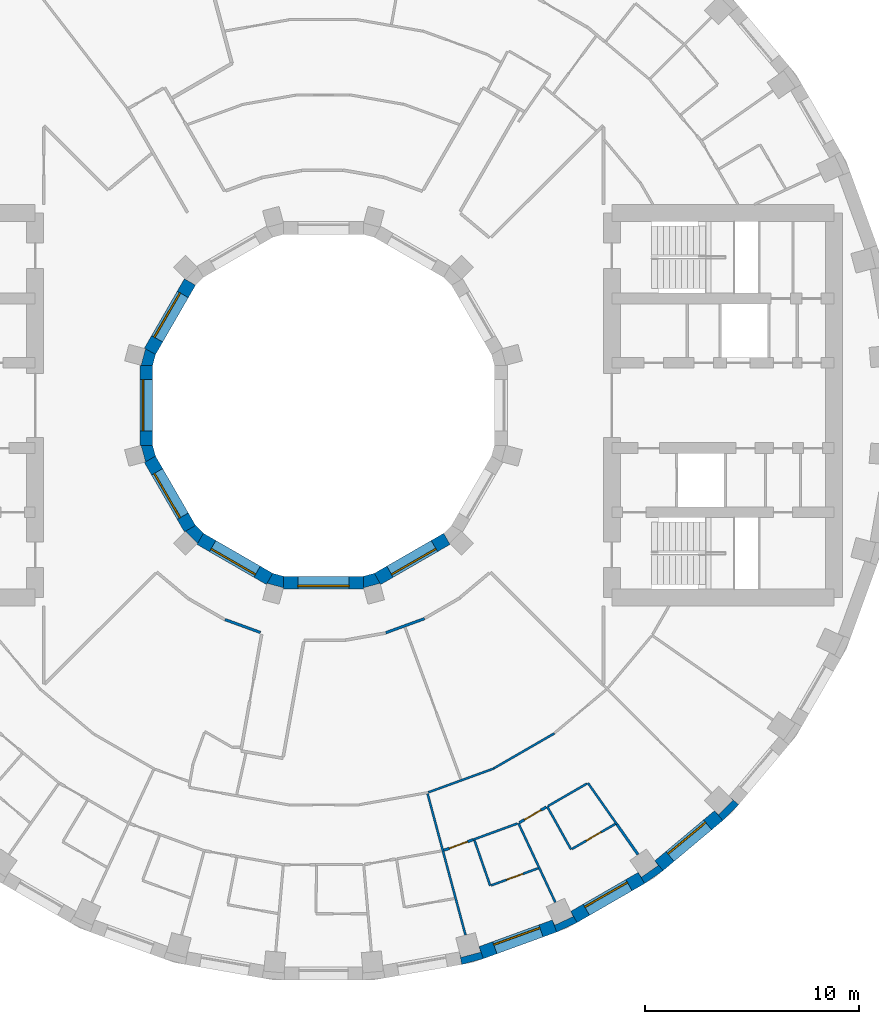
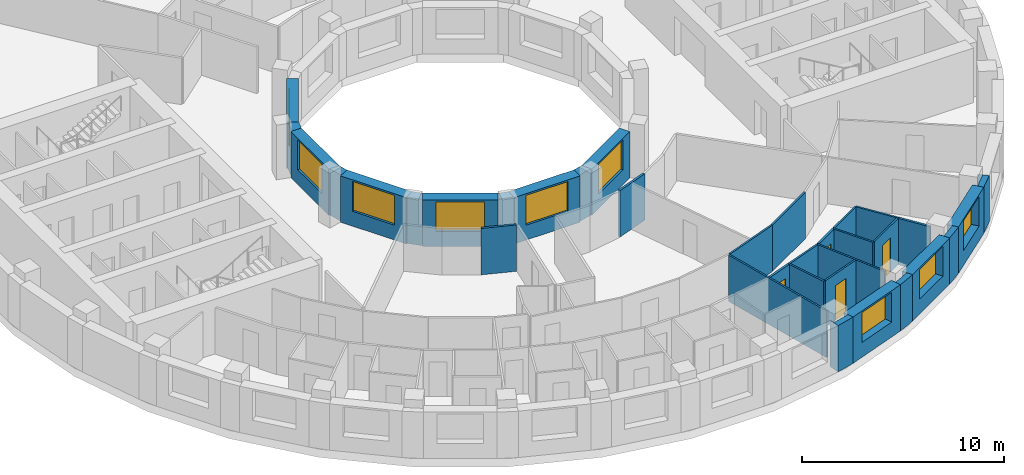
# One storey, part 7 of 14: 34 walls, 9 windows, 4 doors, 13 openings.
"""IFC4 building model written with IfcOpenShell, lengths in metres."""

from ifc_helpers import new_model, si_unit, direction, frame, frame_2d, origin, place, context, subcontext, project, spatial, polyline, rectangle, outline, extrude, material, layer, layer_set, type_object, element, fill, save


model = new_model("IFC4")

# Units and contexts
model_context = context("Model", 3, precision=1e-05, world=origin(), true_north=direction((0.0, 1.0)))
body_context = subcontext(model_context, "Body", "Model", "MODEL_VIEW")
ifc_project = project(units=[si_unit("LENGTHUNIT", "METRE"), si_unit("AREAUNIT", "SQUARE_METRE"), si_unit("VOLUMEUNIT", "CUBIC_METRE"), si_unit("PLANEANGLEUNIT", "RADIAN"), si_unit("MASSUNIT", "GRAM", prefix="KILO")], contexts=[model_context])

# Site, building, storey
site_placement = place(None, origin())
site = spatial("IfcSite", under=ifc_project, at=site_placement, CompositionType="ELEMENT")
building_placement = place(site_placement, origin())
building = spatial("IfcBuilding", under=site, at=building_placement, Name="Saqina Gate Tower", CompositionType="ELEMENT")
storey_placement = place(building_placement, frame((0.0, 0.0, 91.89990234375)))
storey = spatial("IfcBuildingStorey", under=building, at=storey_placement, Name="L25", CompositionType="ELEMENT", Elevation=91.89990234375)

# Walls
ifc_material_1 = material(Name="Brick masonry (buff)", Category="masonry")
wall_type_1 = type_object("IfcWallType", Name="BRICK PIER COPING BUFF", PredefinedType="SOLIDWALL", material=ifc_material_1)
wall_1_placement = place(storey_placement, origin())
element("IfcWall", 1, at=wall_1_placement, inside=storey, type_object=wall_type_1, Name="Pier cap L25 column 29", PredefinedType="SOLIDWALL", context=body_context, shape_type="SweptSolid", body=[
    extrude(outline(polyline([(6.466796875, -26.171875), (7.485595703125, -25.89892578125), (7.2802734375, -25.335205078125), (7.349853515625, -25.5947265625), (6.43212890625, -25.8408203125), (6.36279296875, -25.5810546875), (6.466796875, -26.171875)])), origin(), (0.0, 0.0, 1.0), 2.800048828125),
])
wall_2_placement = place(storey_placement, origin())
element("IfcWall", 2, at=wall_2_placement, inside=storey, type_object=wall_type_1, Name="Pier cap L25 column 30", PredefinedType="SOLIDWALL", context=body_context, shape_type="SweptSolid", body=[
    extrude(outline(polyline([(10.913330078125, -24.6513671875), (11.869140625, -24.205810546875), (11.569091796875, -23.68603515625), (11.6826171875, -23.9296875), (10.82177734375, -24.331298828125), (10.7080078125, -24.08740234375), (10.913330078125, -24.6513671875)])), origin(), (0.0, 0.0, 1.0), 2.800048828125),
])
wall_3_placement = place(storey_placement, origin())
element("IfcWall", 3, at=wall_3_placement, inside=storey, type_object=wall_type_1, Name="Pier cap L25 column 31", PredefinedType="SOLIDWALL", context=body_context, shape_type="SweptSolid", body=[
    extrude(outline(polyline([(15.89208984375, -21.77685546875), (15.50634765625, -21.317138671875), (15.66064453125, -21.53759765625), (14.88232421875, -22.08251953125), (14.728271484375, -21.862060546875), (15.0283203125, -22.3818359375), (15.89208984375, -21.77685546875)])), origin(), (0.0, 0.0, 1.0), 2.800048828125),
])
wall_4_placement = place(storey_placement, origin())
element("IfcWall", 4, at=wall_4_placement, inside=storey, type_object=wall_type_1, Name="Pier cap L25 column 32", PredefinedType="SOLIDWALL", context=body_context, shape_type="SweptSolid", body=[
    extrude(outline(polyline([(18.686279296875, -19.43212890625), (19.43212890625, -18.686279296875), (18.972412109375, -18.30078125), (19.16259765625, -18.49072265625), (18.49072265625, -19.16259765625), (18.30078125, -18.972412109375), (18.686279296875, -19.43212890625)])), origin(), (0.0, 0.0, 1.0), 2.800048828125),
])

# Wall, opening, window
ifc_material_2 = material(Name="Brick masonry (buff)", Category="masonry")
ifc_layer_1 = layer(ifc_material_2, 0.60009765625)
ifc_layer_set_1 = layer_set([ifc_layer_1], Name="FW-BRICK-BUFF")
wall_type_2 = type_object("IfcWallType", Name="FW-BRICK-BUFF", PredefinedType="SOLIDWALL", material=ifc_layer_set_1)
wall_5_placement = place(storey_placement, frame((7.3828125, -25.616943359375, 0.0), z_axis=(0.0, 0.0, 1.0), x_axis=(0.939703505393, 0.341990236633, 0.0)))
wall_5 = element("IfcWall", 5, at=wall_5_placement, inside=storey, type_object=wall_type_2, Name="Facade wall L25 facet 29", PredefinedType="SOLIDWALL", context=body_context, shape_type="SweptSolid", body=[
    extrude(rectangle(XDim=3.64794921875, YDim=0.60009765625, at=frame_2d((1.823974609375, 0.0))), origin(), (0.0, 0.0, 1.0), 2.800048828125),
])
opening_1_placement = place(wall_5_placement, frame((0.673828125, 0.0, 0.89990234375)))
opening_1 = element("IfcOpeningElement", 6, at=opening_1_placement, cuts=wall_5, Name="Opening G07-W18", PredefinedType="OPENING", context=body_context, shape_type="SweptSolid", body=[
    extrude(rectangle(XDim=2.300048828125, YDim=1.800048828125, at=frame_2d((1.14990234375, 0.89990234375))), frame((0.0, 0.31201171875, 0.0), z_axis=(0.0, -1.0, 0.0), x_axis=(1.0, 0.0, 0.0)), (0.0, 0.0, 1.0), 0.6240234375),
])
ifc_material_3 = material(Name="Aluminium glazing", Category="aluminium")
window_type_1 = type_object("IfcWindowType", Name="WN-B", PartitioningType="SINGLE_PANEL", PredefinedType="WINDOW", material=ifc_material_3)
window_1_placement = place(opening_1_placement, origin())
window_1 = element("IfcWindow", 7, at=window_1_placement, inside=storey, type_object=window_type_1, Name="Window L25 facet 29", OverallHeight=1.800048828125, OverallWidth=2.300048828125, PartitioningType="SINGLE_PANEL", PredefinedType="WINDOW", context=body_context, shape_type="SweptSolid", body=[
    extrude(rectangle(XDim=2.300048828125, YDim=1.800048828125, at=frame_2d((1.14990234375, 0.89990234375))), frame((0.0, 0.179931640625, 0.0), z_axis=(0.0, -1.0, 0.0), x_axis=(1.0, 0.0, 0.0)), (0.0, 0.0, 1.0), 0.06005859375),
])
fill(opening_1, window_1)

wall_6_placement = place(storey_placement, frame((11.718994140625, -23.94580078125, 0.0), z_axis=(0.0, 0.0, 1.0), x_axis=(0.866051847062, 0.499954196102, 0.0)))
wall_6 = element("IfcWall", 8, at=wall_6_placement, inside=storey, type_object=wall_type_2, Name="Facade wall L25 facet 30", PredefinedType="SOLIDWALL", context=body_context, shape_type="SweptSolid", body=[
    extrude(rectangle(XDim=3.647705078125, YDim=0.60009765625, at=frame_2d((1.82373046875, 0.0))), origin(), (0.0, 0.0, 1.0), 2.800048828125),
])
opening_2_placement = place(wall_6_placement, frame((0.673828125, 0.0, 0.89990234375)))
opening_2 = element("IfcOpeningElement", 9, at=opening_2_placement, cuts=wall_6, Name="Opening G07-W19", PredefinedType="OPENING", context=body_context, shape_type="SweptSolid", body=[
    extrude(rectangle(XDim=2.300048828125, YDim=1.800048828125, at=frame_2d((1.14990234375, 0.89990234375))), frame((0.0, 0.31201171875, 0.0), z_axis=(0.0, -1.0, 0.0), x_axis=(1.0, 0.0, 0.0)), (0.0, 0.0, 1.0), 0.6240234375),
])
window_2_placement = place(opening_2_placement, origin())
window_2 = element("IfcWindow", 10, at=window_2_placement, inside=storey, type_object=window_type_1, Name="Window L25 facet 30", OverallHeight=1.800048828125, OverallWidth=2.300048828125, PartitioningType="SINGLE_PANEL", PredefinedType="WINDOW", context=body_context, shape_type="SweptSolid", body=[
    extrude(rectangle(XDim=2.300048828125, YDim=1.800048828125, at=frame_2d((1.14990234375, 0.89990234375))), frame((0.0, 0.179931640625, 0.0), z_axis=(0.0, -1.0, 0.0), x_axis=(1.0, 0.0, 0.0)), (0.0, 0.0, 1.0), 0.06005859375),
])
fill(opening_2, window_2)

wall_7_placement = place(storey_placement, frame((15.69921875, -21.547119140625, 0.0), z_axis=(0.0, 0.0, 1.0), x_axis=(0.766055462616, 0.642774476932, 0.0)))
wall_7 = element("IfcWall", 11, at=wall_7_placement, inside=storey, type_object=wall_type_2, Name="Facade wall L25 facet 31", PredefinedType="SOLIDWALL", context=body_context, shape_type="SweptSolid", body=[
    extrude(rectangle(XDim=3.647705078125, YDim=0.60009765625, at=frame_2d((1.82373046875, 0.0))), origin(), (0.0, 0.0, 1.0), 2.800048828125),
])
opening_3_placement = place(wall_7_placement, frame((0.673828125, 0.0, 0.89990234375)))
opening_3 = element("IfcOpeningElement", 12, at=opening_3_placement, cuts=wall_7, Name="Opening G07-W20", PredefinedType="OPENING", context=body_context, shape_type="SweptSolid", body=[
    extrude(rectangle(XDim=2.300048828125, YDim=1.800048828125, at=frame_2d((1.14990234375, 0.89990234375))), frame((0.0, 0.31201171875, 0.0), z_axis=(0.0, -1.0, 0.0), x_axis=(1.0, 0.0, 0.0)), (0.0, 0.0, 1.0), 0.6240234375),
])
window_3_placement = place(opening_3_placement, origin())
window_3 = element("IfcWindow", 13, at=window_3_placement, inside=storey, type_object=window_type_1, Name="Window L25 facet 31", OverallHeight=1.800048828125, OverallWidth=2.300048828125, PartitioningType="SINGLE_PANEL", PredefinedType="WINDOW", context=body_context, shape_type="SweptSolid", body=[
    extrude(rectangle(XDim=2.300048828125, YDim=1.800048828125, at=frame_2d((1.14990234375, 0.89990234375))), frame((0.0, 0.179931640625, 0.0), z_axis=(0.0, -1.0, 0.0), x_axis=(1.0, 0.0, 0.0)), (0.0, 0.0, 1.0), 0.06005859375),
])
fill(opening_3, window_3)

ifc_material_4 = material(Name="Glazed ceramic tile", Category="ceramic")
ifc_layer_2 = layer(ifc_material_4, 0.60009765625)
ifc_layer_set_2 = layer_set([ifc_layer_2], Name="IW-TILE")
wall_type_3 = type_object("IfcWallType", Name="IW-TILE", PredefinedType="SOLIDWALL", material=ifc_layer_set_2)
wall_8_placement = place(storey_placement, frame((-6.251220703125, 5.772705078125, 0.0), z_axis=(0.0, 0.0, 1.0), x_axis=(-0.499964958637, -0.86604563398, 0.0)))
wall_8 = element("IfcWall", 14, at=wall_8_placement, inside=storey, type_object=wall_type_3, Name="Well wall L25 facet 5", PredefinedType="SOLIDWALL", context=body_context, shape_type="SweptSolid", body=[
    extrude(rectangle(XDim=3.747314453125, YDim=0.60009765625, at=frame_2d((1.87353515625, 0.0))), origin(), (0.0, 0.0, 1.0), 2.800048828125),
])
opening_4_placement = place(wall_8_placement, frame((0.673583984375, 0.0, 0.89990234375)))
opening_4 = element("IfcOpeningElement", 15, at=opening_4_placement, cuts=wall_8, Name="Opening G07-W27", PredefinedType="OPENING", context=body_context, shape_type="SweptSolid", body=[
    extrude(rectangle(XDim=2.39990234375, YDim=1.800048828125, at=frame_2d((1.199951171875, 0.89990234375))), frame((0.0, 0.31201171875, 0.0), z_axis=(0.0, -1.0, 0.0), x_axis=(1.0, 0.0, 0.0)), (0.0, 0.0, 1.0), 0.6240234375),
])
ifc_material_5 = material(Name="Aluminium glazing", Category="aluminium")
window_type_2 = type_object("IfcWindowType", Name="WN-W", PartitioningType="SINGLE_PANEL", PredefinedType="WINDOW", material=ifc_material_5)
window_4_placement = place(opening_4_placement, origin())
window_4 = element("IfcWindow", 16, at=window_4_placement, inside=storey, type_object=window_type_2, Name="Well window L25 facet 5", OverallHeight=1.800048828125, OverallWidth=2.39990234375, PartitioningType="SINGLE_PANEL", PredefinedType="WINDOW", context=body_context, shape_type="SweptSolid", body=[
    extrude(rectangle(XDim=2.39990234375, YDim=1.800048828125, at=frame_2d((1.199951171875, 0.89990234375))), frame((0.0, -0.119873046875, 0.0), z_axis=(0.0, -1.0, 0.0), x_axis=(1.0, 0.0, 0.0)), (0.0, 0.0, 1.0), 0.06005859375),
])
fill(opening_4, window_4)

wall_9_placement = place(storey_placement, frame((-8.300048828125, 1.873779296875, 0.0), z_axis=(0.0, 0.0, 1.0), x_axis=(0.0, -1.0, 0.0)))
wall_9 = element("IfcWall", 17, at=wall_9_placement, inside=storey, type_object=wall_type_3, Name="Well wall L25 facet 6", PredefinedType="SOLIDWALL", context=body_context, shape_type="SweptSolid", body=[
    extrude(rectangle(XDim=3.74755859375, YDim=0.60009765625, at=frame_2d((1.873779296875, 0.0))), origin(), (0.0, 0.0, 1.0), 2.800048828125),
])
opening_5_placement = place(wall_9_placement, frame((0.673583984375, 0.0, 0.89990234375)))
opening_5 = element("IfcOpeningElement", 18, at=opening_5_placement, cuts=wall_9, Name="Opening G07-W28", PredefinedType="OPENING", context=body_context, shape_type="SweptSolid", body=[
    extrude(rectangle(XDim=2.39990234375, YDim=1.800048828125, at=frame_2d((1.199951171875, 0.89990234375))), frame((0.0, 0.31201171875, 0.0), z_axis=(0.0, -1.0, 0.0), x_axis=(1.0, 0.0, 0.0)), (0.0, 0.0, 1.0), 0.6240234375),
])
window_5_placement = place(opening_5_placement, origin())
window_5 = element("IfcWindow", 19, at=window_5_placement, inside=storey, type_object=window_type_2, Name="Well window L25 facet 6", OverallHeight=1.800048828125, OverallWidth=2.39990234375, PartitioningType="SINGLE_PANEL", PredefinedType="WINDOW", context=body_context, shape_type="SweptSolid", body=[
    extrude(rectangle(XDim=2.39990234375, YDim=1.800048828125, at=frame_2d((1.199951171875, 0.89990234375))), frame((0.0, -0.119873046875, 0.0), z_axis=(0.0, -1.0, 0.0), x_axis=(1.0, 0.0, 0.0)), (0.0, 0.0, 1.0), 0.06005859375),
])
fill(opening_5, window_5)

wall_10_placement = place(storey_placement, frame((-8.124755859375, -2.52734375, 0.0), z_axis=(0.0, 0.0, 1.0), x_axis=(0.499964958637, -0.86604563398, 0.0)))
wall_10 = element("IfcWall", 20, at=wall_10_placement, inside=storey, type_object=wall_type_3, Name="Well wall L25 facet 7", PredefinedType="SOLIDWALL", context=body_context, shape_type="SweptSolid", body=[
    extrude(rectangle(XDim=3.747314453125, YDim=0.60009765625, at=frame_2d((1.87353515625, 0.0))), origin(), (0.0, 0.0, 1.0), 2.800048828125),
])
opening_6_placement = place(wall_10_placement, frame((0.673583984375, 0.0, 0.89990234375)))
opening_6 = element("IfcOpeningElement", 21, at=opening_6_placement, cuts=wall_10, Name="Opening G07-W29", PredefinedType="OPENING", context=body_context, shape_type="SweptSolid", body=[
    extrude(rectangle(XDim=2.39990234375, YDim=1.800048828125, at=frame_2d((1.199951171875, 0.89990234375))), frame((0.0, 0.31201171875, 0.0), z_axis=(0.0, -1.0, 0.0), x_axis=(1.0, 0.0, 0.0)), (0.0, 0.0, 1.0), 0.6240234375),
])
window_6_placement = place(opening_6_placement, origin())
window_6 = element("IfcWindow", 22, at=window_6_placement, inside=storey, type_object=window_type_2, Name="Well window L25 facet 7", OverallHeight=1.800048828125, OverallWidth=2.39990234375, PartitioningType="SINGLE_PANEL", PredefinedType="WINDOW", context=body_context, shape_type="SweptSolid", body=[
    extrude(rectangle(XDim=2.39990234375, YDim=1.800048828125, at=frame_2d((1.199951171875, 0.89990234375))), frame((0.0, -0.119873046875, 0.0), z_axis=(0.0, -1.0, 0.0), x_axis=(1.0, 0.0, 0.0)), (0.0, 0.0, 1.0), 0.06005859375),
])
fill(opening_6, window_6)

wall_11_placement = place(storey_placement, frame((-5.772705078125, -6.251220703125, 0.0), z_axis=(0.0, 0.0, 1.0), x_axis=(0.86604563398, -0.499964958637, 0.0)))
wall_11 = element("IfcWall", 23, at=wall_11_placement, inside=storey, type_object=wall_type_3, Name="Well wall L25 facet 8", PredefinedType="SOLIDWALL", context=body_context, shape_type="SweptSolid", body=[
    extrude(rectangle(XDim=3.747314453125, YDim=0.60009765625, at=frame_2d((1.87353515625, 0.0))), origin(), (0.0, 0.0, 1.0), 2.800048828125),
])
opening_7_placement = place(wall_11_placement, frame((0.673583984375, 0.0, 0.89990234375)))
opening_7 = element("IfcOpeningElement", 24, at=opening_7_placement, cuts=wall_11, Name="Opening G07-W30", PredefinedType="OPENING", context=body_context, shape_type="SweptSolid", body=[
    extrude(rectangle(XDim=2.39990234375, YDim=1.800048828125, at=frame_2d((1.199951171875, 0.89990234375))), frame((0.0, 0.31201171875, 0.0), z_axis=(0.0, -1.0, 0.0), x_axis=(1.0, 0.0, 0.0)), (0.0, 0.0, 1.0), 0.6240234375),
])
window_7_placement = place(opening_7_placement, origin())
window_7 = element("IfcWindow", 25, at=window_7_placement, inside=storey, type_object=window_type_2, Name="Well window L25 facet 8", OverallHeight=1.800048828125, OverallWidth=2.39990234375, PartitioningType="SINGLE_PANEL", PredefinedType="WINDOW", context=body_context, shape_type="SweptSolid", body=[
    extrude(rectangle(XDim=2.39990234375, YDim=1.800048828125, at=frame_2d((1.199951171875, 0.89990234375))), frame((0.0, -0.119873046875, 0.0), z_axis=(0.0, -1.0, 0.0), x_axis=(1.0, 0.0, 0.0)), (0.0, 0.0, 1.0), 0.06005859375),
])
fill(opening_7, window_7)

wall_12_placement = place(storey_placement, frame((-1.873779296875, -8.300048828125, 0.0), z_axis=(0.0, 0.0, 1.0), x_axis=(1.0, 0.0, 0.0)))
wall_12 = element("IfcWall", 26, at=wall_12_placement, inside=storey, type_object=wall_type_3, Name="Well wall L25 facet 9", PredefinedType="SOLIDWALL", context=body_context, shape_type="SweptSolid", body=[
    extrude(rectangle(XDim=3.74755859375, YDim=0.60009765625, at=frame_2d((1.873779296875, 0.0))), origin(), (0.0, 0.0, 1.0), 2.800048828125),
])
opening_8_placement = place(wall_12_placement, frame((0.673583984375, 0.0, 0.89990234375)))
opening_8 = element("IfcOpeningElement", 27, at=opening_8_placement, cuts=wall_12, Name="Opening G07-W31", PredefinedType="OPENING", context=body_context, shape_type="SweptSolid", body=[
    extrude(rectangle(XDim=2.39990234375, YDim=1.800048828125, at=frame_2d((1.199951171875, 0.89990234375))), frame((0.0, 0.31201171875, 0.0), z_axis=(0.0, -1.0, 0.0), x_axis=(1.0, 0.0, 0.0)), (0.0, 0.0, 1.0), 0.6240234375),
])
window_8_placement = place(opening_8_placement, origin())
window_8 = element("IfcWindow", 28, at=window_8_placement, inside=storey, type_object=window_type_2, Name="Well window L25 facet 9", OverallHeight=1.800048828125, OverallWidth=2.39990234375, PartitioningType="SINGLE_PANEL", PredefinedType="WINDOW", context=body_context, shape_type="SweptSolid", body=[
    extrude(rectangle(XDim=2.39990234375, YDim=1.800048828125, at=frame_2d((1.199951171875, 0.89990234375))), frame((0.0, -0.119873046875, 0.0), z_axis=(0.0, -1.0, 0.0), x_axis=(1.0, 0.0, 0.0)), (0.0, 0.0, 1.0), 0.06005859375),
])
fill(opening_8, window_8)

wall_13_placement = place(storey_placement, frame((2.52734375, -8.124755859375, 0.0), z_axis=(0.0, 0.0, 1.0), x_axis=(0.86604563398, 0.499964958637, 0.0)))
wall_13 = element("IfcWall", 29, at=wall_13_placement, inside=storey, type_object=wall_type_3, Name="Well wall L25 facet 10", PredefinedType="SOLIDWALL", context=body_context, shape_type="SweptSolid", body=[
    extrude(rectangle(XDim=3.747314453125, YDim=0.60009765625, at=frame_2d((1.87353515625, 0.0))), origin(), (0.0, 0.0, 1.0), 2.800048828125),
])
opening_9_placement = place(wall_13_placement, frame((0.673583984375, 0.0, 0.89990234375)))
opening_9 = element("IfcOpeningElement", 30, at=opening_9_placement, cuts=wall_13, Name="Opening G07-W32", PredefinedType="OPENING", context=body_context, shape_type="SweptSolid", body=[
    extrude(rectangle(XDim=2.39990234375, YDim=1.800048828125, at=frame_2d((1.199951171875, 0.89990234375))), frame((0.0, 0.31201171875, 0.0), z_axis=(0.0, -1.0, 0.0), x_axis=(1.0, 0.0, 0.0)), (0.0, 0.0, 1.0), 0.6240234375),
])
window_9_placement = place(opening_9_placement, origin())
window_9 = element("IfcWindow", 31, at=window_9_placement, inside=storey, type_object=window_type_2, Name="Well window L25 facet 10", OverallHeight=1.800048828125, OverallWidth=2.39990234375, PartitioningType="SINGLE_PANEL", PredefinedType="WINDOW", context=body_context, shape_type="SweptSolid", body=[
    extrude(rectangle(XDim=2.39990234375, YDim=1.800048828125, at=frame_2d((1.199951171875, 0.89990234375))), frame((0.0, -0.119873046875, 0.0), z_axis=(0.0, -1.0, 0.0), x_axis=(1.0, 0.0, 0.0)), (0.0, 0.0, 1.0), 0.06005859375),
])
fill(opening_9, window_9)

# Walls
ifc_material_6 = material(Name="Gypsum board on steel studs, 100 mm", Category="steel")
ifc_layer_3 = layer(ifc_material_6, 0.10009765625)
ifc_layer_set_3 = layer_set([ifc_layer_3], Name="PARTITION 100")
wall_type_4 = type_object("IfcWallType", Name="PARTITION 100", PredefinedType="PARTITIONING", material=ifc_layer_set_3)
wall_14_placement = place(storey_placement, frame((4.869873046875, -18.179443359375, 0.0), z_axis=(0.0, 0.0, 1.0), x_axis=(0.259209722025, -0.965821060035, 0.0)))
element("IfcWall", 32, at=wall_14_placement, inside=storey, type_object=wall_type_4, Name="PARTITION PW3-05", PredefinedType="PARTITIONING", context=body_context, shape_type="SweptSolid", body=[
    extrude(rectangle(XDim=6.844482421875, YDim=0.10009765625, at=frame_2d((3.42236328125, 0.0))), origin(), (0.0, 0.0, 1.0), 2.800048828125),
])
wall_15_placement = place(storey_placement, frame((7.064453125, -20.359130859375, 0.0), z_axis=(0.0, 0.0, 1.0), x_axis=(0.327758868129, -0.944761411343, 0.0)))
element("IfcWall", 33, at=wall_15_placement, inside=storey, type_object=wall_type_4, Name="PARTITION PW3-06", PredefinedType="PARTITIONING", context=body_context, shape_type="SweptSolid", body=[
    extrude(rectangle(XDim=2.250244140625, YDim=0.10009765625, at=frame_2d((1.125, 0.0))), origin(), (0.0, 0.0, 1.0), 2.800048828125),
])
wall_16_placement = place(storey_placement, frame((9.1201171875, -19.55810546875, 0.0), z_axis=(0.0, 0.0, 1.0), x_axis=(0.422882193637, -0.906184666778, 0.0)))
element("IfcWall", 34, at=wall_16_placement, inside=storey, type_object=wall_type_4, Name="PARTITION PW3-08", PredefinedType="PARTITIONING", context=body_context, shape_type="SweptSolid", body=[
    extrude(rectangle(XDim=4.085205078125, YDim=0.10009765625, at=frame_2d((2.04248046875, 0.0))), origin(), (0.0, 0.0, 1.0), 2.800048828125),
])
wall_17_placement = place(storey_placement, frame((10.468017578125, -18.779052734375, 0.0), z_axis=(0.0, 0.0, 1.0), x_axis=(0.486886136125, -0.873465448915, 0.0)))
element("IfcWall", 35, at=wall_17_placement, inside=storey, type_object=wall_type_4, Name="PARTITION PW3-09", PredefinedType="PARTITIONING", context=body_context, shape_type="SweptSolid", body=[
    extrude(rectangle(XDim=2.300048828125, YDim=0.10009765625, at=frame_2d((1.14990234375, 0.0))), origin(), (0.0, 0.0, 1.0), 2.800048828125),
])
wall_18_placement = place(storey_placement, frame((12.376953125, -17.677001953125, 0.0), z_axis=(0.0, 0.0, 1.0), x_axis=(0.573802663203, -0.818993591978, 0.0)))
element("IfcWall", 36, at=wall_18_placement, inside=storey, type_object=wall_type_4, Name="PARTITION PW3-14", PredefinedType="PARTITIONING", context=body_context, shape_type="SweptSolid", body=[
    extrude(rectangle(XDim=2.35888671875, YDim=0.10009765625, at=frame_2d((1.179443359375, 0.0))), origin(), (0.0, 0.0, 1.0), 2.800048828125),
])

# Wall, opening, door
wall_19_placement = place(storey_placement, frame((7.848876953125, -22.468017578125, 0.0), z_axis=(0.0, 0.0, 1.0), x_axis=(0.939662448837, 0.342103028699, 0.0)))
wall_19 = element("IfcWall", 37, at=wall_19_placement, inside=storey, type_object=wall_type_4, Name="PARTITION PW3-65", PredefinedType="PARTITIONING", context=body_context, shape_type="SweptSolid", body=[
    extrude(rectangle(XDim=2.341552734375, YDim=0.10009765625, at=frame_2d((1.1708984375, 0.0))), origin(), (0.0, 0.0, 1.0), 2.800048828125),
])
opening_10_placement = place(wall_19_placement, frame((0.7705078125, 0.0, 0.0)))
opening_10 = element("IfcOpeningElement", 38, at=opening_10_placement, cuts=wall_19, Name="Opening G07-D45", PredefinedType="OPENING", context=body_context, shape_type="SweptSolid", body=[
    extrude(rectangle(XDim=0.800048828125, YDim=2.10009765625, at=frame_2d((0.39990234375, 1.050048828125))), frame((0.0, 0.06201171875, 0.0), z_axis=(0.0, -1.0, 0.0), x_axis=(1.0, 0.0, 0.0)), (0.0, 0.0, 1.0), 0.1240234375),
])
ifc_material_7 = material(Name="Timber door leaf, 800 mm", Category="wood")
door_type_1 = type_object("IfcDoorType", Name="DOOR 800 TIMBER", OperationType="SINGLE_SWING_LEFT", PredefinedType="DOOR", material=ifc_material_7)
door_1_placement = place(opening_10_placement, frame((0.800048828125, 0.0, 0.0), z_axis=(0.0, 0.0, 1.0), x_axis=(-1.0, 0.0, 0.0)))
door_1 = element("IfcDoor", 39, at=door_1_placement, inside=storey, type_object=door_type_1, Name="DOOR G07-D45", OperationType="SINGLE_SWING_RIGHT", OverallHeight=2.10009765625, OverallWidth=0.800048828125, PredefinedType="DOOR", context=body_context, shape_type="SweptSolid", body=[
    extrude(rectangle(XDim=0.800048828125, YDim=2.10009765625, at=frame_2d((0.39990234375, 1.050048828125))), frame((0.0, 0.02490234375, 0.0), z_axis=(0.0, -1.0, 0.0), x_axis=(1.0, 0.0, 0.0)), (0.0, 0.0, 1.0), 0.050048828125),
])
fill(opening_10, door_1)

# Walls
wall_20_placement = place(storey_placement, frame((7.0009765625, -20.3291015625, 0.0), z_axis=(0.0, 0.0, 1.0), x_axis=(0.939728749343, 0.341920864613, 0.0)))
element("IfcWall", 40, at=wall_20_placement, inside=storey, type_object=wall_type_4, Name="PARTITION PW3-66", PredefinedType="PARTITIONING", context=body_context, shape_type="SweptSolid", body=[
    extrude(rectangle(XDim=2.204833984375, YDim=0.10009765625, at=frame_2d((1.1025390625, 0.0))), origin(), (0.0, 0.0, 1.0), 2.800048828125),
])
wall_21_placement = place(storey_placement, frame((4.905029296875, -18.114013671875, 0.0), z_axis=(0.0, 0.0, 1.0), x_axis=(0.939675767225, 0.342066444554, 0.0)))
element("IfcWall", 41, at=wall_21_placement, inside=storey, type_object=wall_type_4, Name="PARTITION PW3-67", PredefinedType="PARTITIONING", context=body_context, shape_type="SweptSolid", body=[
    extrude(rectangle(XDim=3.273193359375, YDim=0.10009765625, at=frame_2d((1.63671875, 0.0))), origin(), (0.0, 0.0, 1.0), 2.800048828125),
])

# Wall, opening, door
wall_22_placement = place(storey_placement, frame((11.63134765625, -20.762939453125, 0.0), z_axis=(0.0, 0.0, 1.0), x_axis=(0.866102146699, 0.499867053809, 0.0)))
wall_22 = element("IfcWall", 42, at=wall_22_placement, inside=storey, type_object=wall_type_4, Name="PARTITION PW3-71", PredefinedType="PARTITIONING", context=body_context, shape_type="SweptSolid", body=[
    extrude(rectangle(XDim=2.338623046875, YDim=0.10009765625, at=frame_2d((1.16943359375, 0.0))), origin(), (0.0, 0.0, 1.0), 2.800048828125),
])
opening_11_placement = place(wall_22_placement, frame((0.7705078125, 0.0, 0.0)))
opening_11 = element("IfcOpeningElement", 43, at=opening_11_placement, cuts=wall_22, Name="Opening G07-D47", PredefinedType="OPENING", context=body_context, shape_type="SweptSolid", body=[
    extrude(rectangle(XDim=0.800048828125, YDim=2.10009765625, at=frame_2d((0.39990234375, 1.050048828125))), frame((0.0, 0.06201171875, 0.0), z_axis=(0.0, -1.0, 0.0), x_axis=(1.0, 0.0, 0.0)), (0.0, 0.0, 1.0), 0.1240234375),
])
door_2_placement = place(opening_11_placement, frame((0.800048828125, 0.0, 0.0), z_axis=(0.0, 0.0, 1.0), x_axis=(-1.0, 0.0, 0.0)))
door_2 = element("IfcDoor", 44, at=door_2_placement, inside=storey, type_object=door_type_1, Name="DOOR G07-D47", OperationType="SINGLE_SWING_LEFT", OverallHeight=2.10009765625, OverallWidth=0.800048828125, PredefinedType="DOOR", context=body_context, shape_type="SweptSolid", body=[
    extrude(rectangle(XDim=0.800048828125, YDim=2.10009765625, at=frame_2d((0.39990234375, 1.050048828125))), frame((0.0, 0.02490234375, 0.0), z_axis=(0.0, -1.0, 0.0), x_axis=(1.0, 0.0, 0.0)), (0.0, 0.0, 1.0), 0.050048828125),
])
fill(opening_11, door_2)

# Walls
wall_23_placement = place(storey_placement, frame((10.51123046875, -18.75390625, 0.0), z_axis=(0.0, 0.0, 1.0), x_axis=(0.866117845619, 0.499839851853, 0.0)))
element("IfcWall", 45, at=wall_23_placement, inside=storey, type_object=wall_type_4, Name="PARTITION PW3-72", PredefinedType="PARTITIONING", context=body_context, shape_type="SweptSolid", body=[
    extrude(rectangle(XDim=2.100341796875, YDim=0.10009765625, at=frame_2d((1.05029296875, 0.0))), origin(), (0.0, 0.0, 1.0), 2.800048828125),
])
wall_24_placement = place(storey_placement, frame((7.976318359375, -16.987060546875, 0.0), z_axis=(0.0, 0.0, 1.0), x_axis=(0.865970626093, 0.500094865745, 0.0)))
element("IfcWall", 46, at=wall_24_placement, inside=storey, type_object=wall_type_4, Name="PARTITION PW3-73", PredefinedType="PARTITIONING", context=body_context, shape_type="SweptSolid", body=[
    extrude(rectangle(XDim=3.272216796875, YDim=0.10009765625, at=frame_2d((1.63623046875, 0.0))), origin(), (0.0, 0.0, 1.0), 2.800048828125),
])
ifc_material_8 = material(Name="Gypsum board on steel studs, 125 mm, fire rated", Category="steel")
ifc_layer_4 = layer(ifc_material_8, 0.125)
ifc_layer_set_4 = layer_set([ifc_layer_4], Name="PARTITION EI 30 125")
wall_type_5 = type_object("IfcWallType", Name="PARTITION EI 30 125", PredefinedType="PARTITIONING", material=ifc_layer_set_4)
wall_25_placement = place(storey_placement, frame((13.728515625, -19.610107421875, 0.0), z_axis=(0.0, 0.0, 1.0), x_axis=(0.5734149023, -0.819265127917, 0.0)))
element("IfcWall", 47, at=wall_25_placement, inside=storey, type_object=wall_type_5, Name="PARTITION PW1-06", PredefinedType="PARTITIONING", context=body_context, shape_type="SweptSolid", body=[
    extrude(rectangle(XDim=1.726806640625, YDim=0.125, at=frame_2d((0.86328125, 0.0))), origin(), (0.0, 0.0, 1.0), 2.800048828125),
])
wall_26_placement = place(storey_placement, frame((-4.608154296875, -10.0283203125, 0.0), z_axis=(0.0, 0.0, 1.0), x_axis=(0.939587139824, -0.342309810958, 0.0)))
element("IfcWall", 48, at=wall_26_placement, inside=storey, type_object=wall_type_5, Name="PARTITION PW1-20", PredefinedType="PARTITIONING", context=body_context, shape_type="SweptSolid", body=[
    extrude(rectangle(XDim=1.763671875, YDim=0.125, at=frame_2d((0.8818359375, 0.0))), origin(), (0.0, 0.0, 1.0), 2.800048828125),
])

# Wall, opening, door
wall_27_placement = place(storey_placement, frame((5.632080078125, -20.826904296875, 0.0), z_axis=(0.0, 0.0, 1.0), x_axis=(0.939788529673, 0.341756520778, 0.0)))
wall_27 = element("IfcWall", 49, at=wall_27_placement, inside=storey, type_object=wall_type_5, Name="PARTITION PW1-35", PredefinedType="PARTITIONING", context=body_context, shape_type="SweptSolid", body=[
    extrude(rectangle(XDim=1.45654296875, YDim=0.125, at=frame_2d((0.728271484375, 0.0))), origin(), (0.0, 0.0, 1.0), 2.800048828125),
])
opening_12_placement = place(wall_27_placement, frame((0.27880859375, 0.0, 0.0)))
opening_12 = element("IfcOpeningElement", 50, at=opening_12_placement, cuts=wall_27, Name="Opening G07-D43", PredefinedType="OPENING", context=body_context, shape_type="SweptSolid", body=[
    extrude(rectangle(XDim=0.89990234375, YDim=2.10009765625, at=frame_2d((0.449951171875, 1.050048828125))), frame((0.0, 0.074462890625, 0.0), z_axis=(0.0, -1.0, 0.0), x_axis=(1.0, 0.0, 0.0)), (0.0, 0.0, 1.0), 0.14892578125),
])
ifc_material_9 = material(Name="Fire door leaf EI 30, 900 mm")
door_type_2 = type_object("IfcDoorType", Name="DOOR 900 EI 30", OperationType="SINGLE_SWING_LEFT", PredefinedType="DOOR", material=ifc_material_9)
door_3_placement = place(opening_12_placement, origin())
door_3 = element("IfcDoor", 51, at=door_3_placement, inside=storey, type_object=door_type_2, Name="DOOR G07-D43", OperationType="SINGLE_SWING_LEFT", OverallHeight=2.10009765625, OverallWidth=0.89990234375, PredefinedType="DOOR", context=body_context, shape_type="SweptSolid", body=[
    extrude(rectangle(XDim=0.89990234375, YDim=2.10009765625, at=frame_2d((0.449951171875, 1.050048828125))), frame((0.0, 0.02490234375, 0.0), z_axis=(0.0, -1.0, 0.0), x_axis=(1.0, 0.0, 0.0)), (0.0, 0.0, 1.0), 0.050048828125),
])
fill(opening_12, door_3)

# Wall
wall_28_placement = place(storey_placement, frame((2.915771484375, -10.642578125, 0.0), z_axis=(0.0, 0.0, 1.0), x_axis=(0.939615658103, 0.342231522579, 0.0)))
element("IfcWall", 52, at=wall_28_placement, inside=storey, type_object=wall_type_5, Name="PARTITION PW1-36", PredefinedType="PARTITIONING", context=body_context, shape_type="SweptSolid", body=[
    extrude(rectangle(XDim=1.926025390625, YDim=0.125, at=frame_2d((0.962890625, 0.0))), origin(), (0.0, 0.0, 1.0), 2.800048828125),
])

# Wall, opening, door
wall_29_placement = place(storey_placement, frame((9.163330078125, -19.532958984375, 0.0), z_axis=(0.0, 0.0, 1.0), x_axis=(0.865819905352, 0.500355764928, 0.0)))
wall_29 = element("IfcWall", 53, at=wall_29_placement, inside=storey, type_object=wall_type_5, Name="PARTITION PW1-39", PredefinedType="PARTITIONING", context=body_context, shape_type="SweptSolid", body=[
    extrude(rectangle(XDim=1.45703125, YDim=0.125, at=frame_2d((0.728515625, 0.0))), origin(), (0.0, 0.0, 1.0), 2.800048828125),
])
opening_13_placement = place(wall_29_placement, frame((0.278564453125, 0.0, 0.0)))
opening_13 = element("IfcOpeningElement", 54, at=opening_13_placement, cuts=wall_29, Name="Opening G07-D46", PredefinedType="OPENING", context=body_context, shape_type="SweptSolid", body=[
    extrude(rectangle(XDim=0.89990234375, YDim=2.10009765625, at=frame_2d((0.449951171875, 1.050048828125))), frame((0.0, 0.074462890625, 0.0), z_axis=(0.0, -1.0, 0.0), x_axis=(1.0, 0.0, 0.0)), (0.0, 0.0, 1.0), 0.14892578125),
])
door_4_placement = place(opening_13_placement, origin())
door_4 = element("IfcDoor", 55, at=door_4_placement, inside=storey, type_object=door_type_2, Name="DOOR G07-D46", OperationType="SINGLE_SWING_LEFT", OverallHeight=2.10009765625, OverallWidth=0.89990234375, PredefinedType="DOOR", context=body_context, shape_type="SweptSolid", body=[
    extrude(rectangle(XDim=0.89990234375, YDim=2.10009765625, at=frame_2d((0.449951171875, 1.050048828125))), frame((0.0, 0.02490234375, 0.0), z_axis=(0.0, -1.0, 0.0), x_axis=(1.0, 0.0, 0.0)), (0.0, 0.0, 1.0), 0.050048828125),
])
fill(opening_13, door_4)

# Walls
ifc_material_10 = material(Name="Glazed ceramic tile", Category="ceramic")
wall_type_6 = type_object("IfcWallType", Name="TILE PIER COPING", PredefinedType="SOLIDWALL", material=ifc_material_10)
wall_30_placement = place(storey_placement, origin())
element("IfcWall", 56, at=wall_30_placement, inside=storey, type_object=wall_type_6, Name="Well pier cap L25 column 6", PredefinedType="SOLIDWALL", context=body_context, shape_type="SweptSolid", body=[
    extrude(outline(polyline([(-8.5380859375, 1.873779296875), (-8.0, 1.873779296875), (-7.864990234375, 2.377197265625), (-8.3310546875, 2.646484375), (-8.5380859375, 1.873779296875)])), origin(), (0.0, 0.0, 1.0), 2.800048828125),
])
wall_31_placement = place(storey_placement, origin())
element("IfcWall", 57, at=wall_31_placement, inside=storey, type_object=wall_type_6, Name="Well pier cap L25 column 7", PredefinedType="SOLIDWALL", context=body_context, shape_type="SweptSolid", body=[
    extrude(outline(polyline([(-8.3310546875, -2.646484375), (-7.864990234375, -2.377197265625), (-8.0, -1.873779296875), (-8.5380859375, -1.873779296875), (-8.3310546875, -2.646484375)])), origin(), (0.0, 0.0, 1.0), 2.800048828125),
])
wall_32_placement = place(storey_placement, origin())
element("IfcWall", 58, at=wall_32_placement, inside=storey, type_object=wall_type_6, Name="Well pier cap L25 column 8", PredefinedType="SOLIDWALL", context=body_context, shape_type="SweptSolid", body=[
    extrude(outline(polyline([(-6.45751953125, -5.891845703125), (-5.891845703125, -6.45751953125), (-5.622802734375, -5.991455078125), (-5.991455078125, -5.622802734375), (-6.45751953125, -5.891845703125)])), origin(), (0.0, 0.0, 1.0), 2.800048828125),
])
wall_33_placement = place(storey_placement, origin())
element("IfcWall", 59, at=wall_33_placement, inside=storey, type_object=wall_type_6, Name="Well pier cap L25 column 9", PredefinedType="SOLIDWALL", context=body_context, shape_type="SweptSolid", body=[
    extrude(outline(polyline([(-1.873779296875, -8.5380859375), (-1.873779296875, -8.0), (-2.377197265625, -7.864990234375), (-2.646484375, -8.3310546875), (-1.873779296875, -8.5380859375)])), origin(), (0.0, 0.0, 1.0), 2.800048828125),
])
wall_34_placement = place(storey_placement, origin())
element("IfcWall", 60, at=wall_34_placement, inside=storey, type_object=wall_type_6, Name="Well pier cap L25 column 10", PredefinedType="SOLIDWALL", context=body_context, shape_type="SweptSolid", body=[
    extrude(outline(polyline([(2.646484375, -8.3310546875), (2.377197265625, -7.864990234375), (1.873779296875, -8.0), (1.873779296875, -8.5380859375), (2.646484375, -8.3310546875)])), origin(), (0.0, 0.0, 1.0), 2.800048828125),
])

save(model, "model.ifc")
